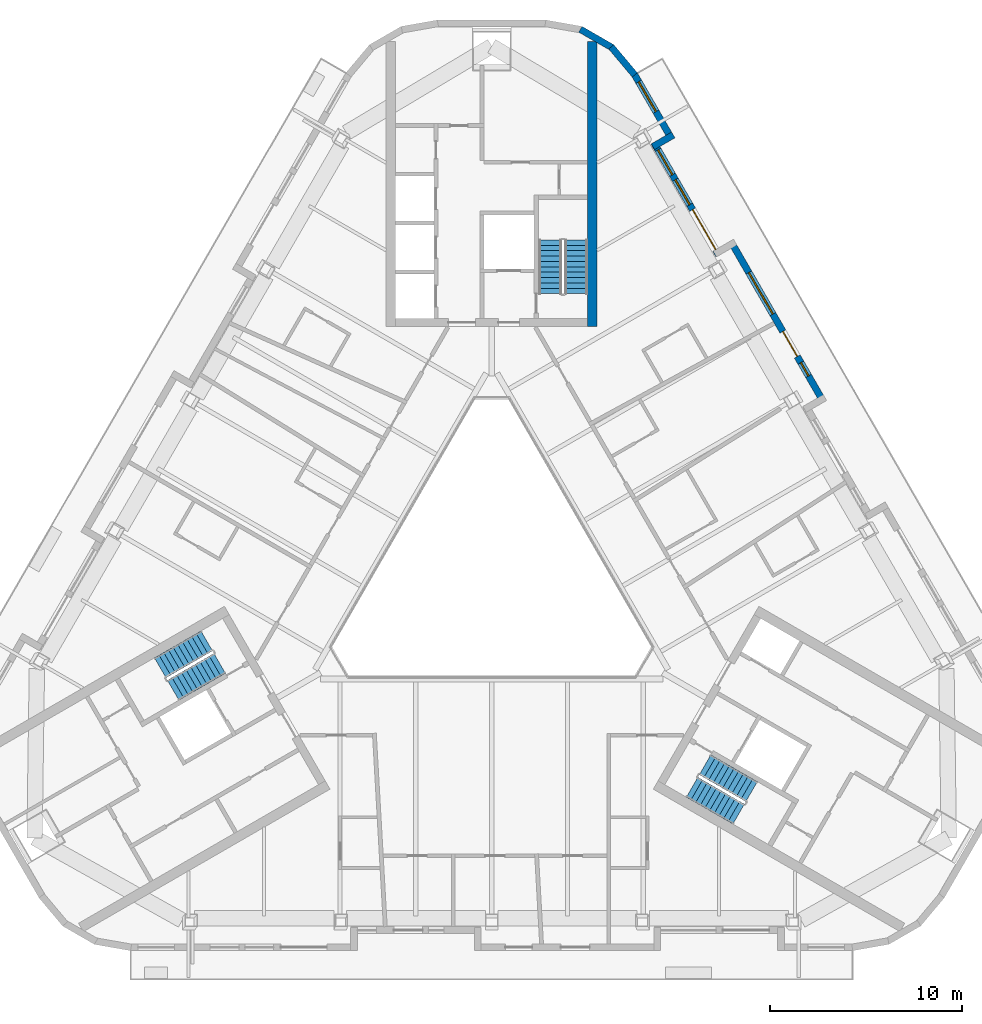
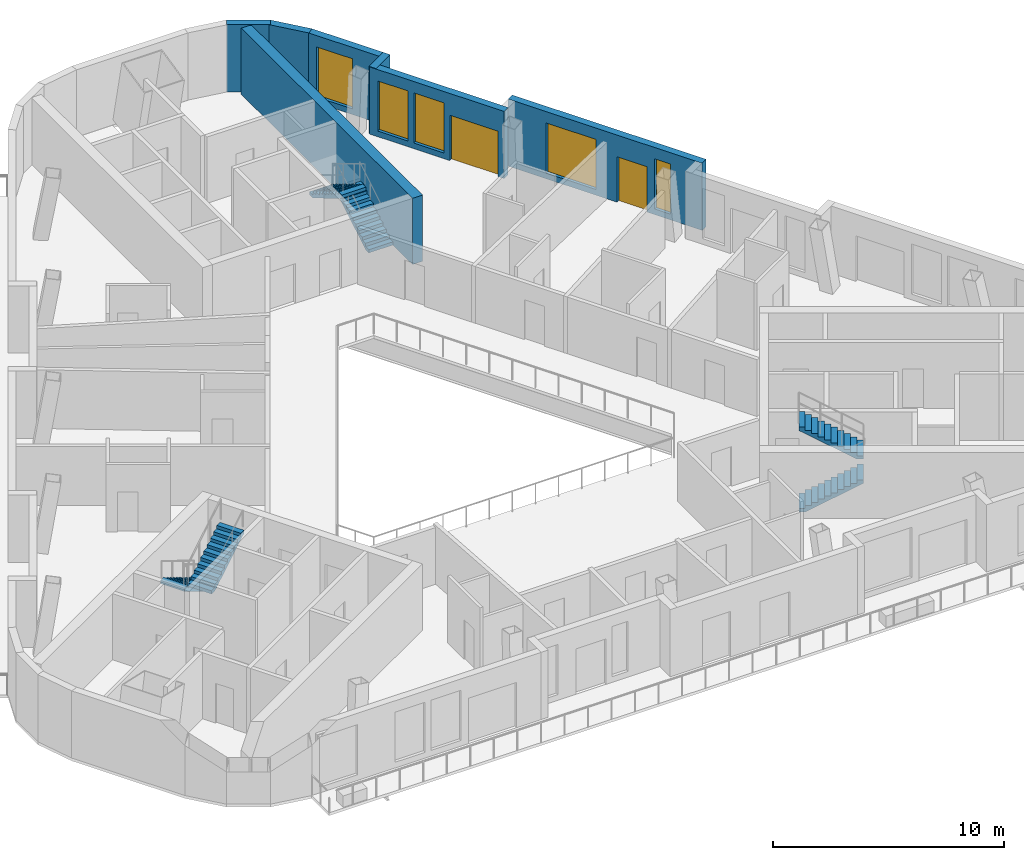
# One storey, part 8 of 14: 7 walls, 6 stair flights, 5 windows, 2 doors, 7 openings, 3 elements without a shape of their own.
"""IFC4 building model written with IfcOpenShell, lengths in metres."""

from ifc_helpers import new_model, si_unit, direction, frame, frame_2d, origin, place, context, subcontext, project, spatial, polyline, rectangle, outline, extrude, material, layer, layer_set, type_object, element, fill, aggregate, save


model = new_model("IFC4")

# Units and contexts
model_context = context("Model", 3, precision=1e-05, world=origin(), true_north=direction((0.0, 1.0)))
body_context = subcontext(model_context, "Body", "Model", "MODEL_VIEW")
ifc_project = project(units=[si_unit("LENGTHUNIT", "METRE"), si_unit("AREAUNIT", "SQUARE_METRE"), si_unit("VOLUMEUNIT", "CUBIC_METRE"), si_unit("PLANEANGLEUNIT", "RADIAN"), si_unit("MASSUNIT", "GRAM", prefix="KILO")], contexts=[model_context])

# Site, building, storey
site_placement = place(None, origin())
site = spatial("IfcSite", under=ifc_project, at=site_placement, CompositionType="ELEMENT")
building_placement = place(site_placement, origin())
building = spatial("IfcBuilding", under=site, at=building_placement, Name="Apuvela Tower Hotel", CompositionType="ELEMENT")
storey_placement = place(building_placement, frame((0.0, 0.0, 254.10009765625)))
storey = spatial("IfcBuildingStorey", under=building, at=storey_placement, Name="L62", CompositionType="ELEMENT", Elevation=254.10009765625)

# Wall
ifc_material_1 = material(Name="Concrete C50/60", Category="concrete")
ifc_layer_1 = layer(ifc_material_1, 0.5)
ifc_layer_set_1 = layer_set([ifc_layer_1], Name="COR-WALL-CORE-500")
wall_type_1 = type_object("IfcWallType", Name="COR-WALL-CORE-500", PredefinedType="SHEAR", material=ifc_layer_set_1)
wall_1_placement = place(storey_placement, frame((5.25, 12.89990234375, 0.0), z_axis=(0.0, 0.0, 1.0), x_axis=(0.0, 1.0, 0.0)))
element("IfcWall", 1, at=wall_1_placement, inside=storey, type_object=wall_type_1, Name="Core wall N", PredefinedType="SHEAR", context=body_context, shape_type="SweptSolid", body=[
    extrude(rectangle(XDim=14.8369140625, YDim=0.5, at=frame_2d((7.41845703125, 0.0))), origin(), (0.0, 0.0, 1.0), 3.5),
])

# Wall, openings, door, windows
ifc_material_2 = material(Name="Concrete C40/50, dark pigmented precast panel", Category="concrete")
ifc_layer_2 = layer(ifc_material_2, 0.35009765625)
ifc_layer_set_2 = layer_set([ifc_layer_2], Name="ENV-WALL-350")
wall_type_2 = type_object("IfcWallType", Name="ENV-WALL-350", PredefinedType="SOLIDWALL", material=ifc_layer_set_2)
wall_2_placement = place(storey_placement, frame((17.298583984375, 8.947998046875, 0.0), z_axis=(0.0, 0.0, 1.0), x_axis=(-0.500010041276, 0.866019606374, 0.0)))
wall_2 = element("IfcWall", 2, at=wall_2_placement, inside=storey, type_object=wall_type_2, Name="External wall L62-37", PredefinedType="SOLIDWALL", context=body_context, shape_type="SweptSolid", body=[
    extrude(rectangle(XDim=9.699951171875, YDim=0.35009765625, at=frame_2d((4.85009765625, 0.0))), origin(), (0.0, 0.0, 1.0), 3.5498046875),
])
opening_1_placement = place(wall_2_placement, frame((2.749267578125, 0.0, 0.0)))
opening_1 = element("IfcOpeningElement", 3, at=opening_1_placement, cuts=wall_2, Name="Opening BD15", PredefinedType="OPENING", context=body_context, shape_type="SweptSolid", body=[
    extrude(rectangle(XDim=1.5, YDim=2.39990234375, at=frame_2d((0.75, 1.199951171875))), frame((0.0, 0.18505859375, 0.0), z_axis=(0.0, -1.0, 0.0), x_axis=(1.0, 0.0, 0.0)), (0.0, 0.0, 1.0), 0.3701171875),
])
opening_2_placement = place(wall_2_placement, frame((1.5791015625, 0.0, 0.300048828125)))
opening_2 = element("IfcOpeningElement", 4, at=opening_2_placement, cuts=wall_2, Name="Opening WN08", PredefinedType="OPENING", context=body_context, shape_type="SweptSolid", body=[
    extrude(rectangle(XDim=0.800048828125, YDim=2.64990234375, at=frame_2d((0.39990234375, 1.324951171875))), frame((0.0, 0.18505859375, 0.0), z_axis=(0.0, -1.0, 0.0), x_axis=(1.0, 0.0, 0.0)), (0.0, 0.0, 1.0), 0.3701171875),
])
opening_3_placement = place(wall_2_placement, frame((5.300048828125, 0.0, 0.300048828125)))
opening_3 = element("IfcOpeningElement", 5, at=opening_3_placement, cuts=wall_2, Name="Opening WN25", PredefinedType="OPENING", context=body_context, shape_type="SweptSolid", body=[
    extrude(rectangle(XDim=2.5, YDim=2.64990234375, at=frame_2d((1.25, 1.324951171875))), frame((0.0, 0.18505859375, 0.0), z_axis=(0.0, -1.0, 0.0), x_axis=(1.0, 0.0, 0.0)), (0.0, 0.0, 1.0), 0.3701171875),
])
ifc_material_3 = material(Name="Aluminium 6063-T6, dark bronze anodised frame with dark tinted laminated glass", Category="aluminium")
door_type_1 = type_object("IfcDoorType", Name="ENV-DOOR-BALCONY-1500x2400", OperationType="SLIDING_TO_LEFT", PredefinedType="DOOR", material=ifc_material_3)
door_1_placement = place(opening_1_placement, frame((1.5, 0.0, 0.0), z_axis=(0.0, 0.0, 1.0), x_axis=(-1.0, 0.0, 0.0)))
door_1 = element("IfcDoor", 6, at=door_1_placement, inside=storey, type_object=door_type_1, Name="Balcony door BD15", OperationType="SLIDING_TO_LEFT", OverallHeight=2.39990234375, OverallWidth=1.5, PredefinedType="DOOR", context=body_context, shape_type="SweptSolid", body=[
    extrude(rectangle(XDim=1.5, YDim=2.39990234375, at=frame_2d((0.75, 1.199951171875))), frame((0.0, 0.02490234375, 0.0), z_axis=(0.0, -1.0, 0.0), x_axis=(1.0, 0.0, 0.0)), (0.0, 0.0, 1.0), 0.050048828125),
])
fill(opening_1, door_1)
ifc_material_4 = material(Name="Glass, dark tinted laminated insulated glazing unit", Category="glass")
window_type_1 = type_object("IfcWindowType", Name="ENV-WIN-2500x2650", PartitioningType="SINGLE_PANEL", PredefinedType="WINDOW", material=ifc_material_4)
window_1_placement = place(opening_3_placement, origin())
window_1 = element("IfcWindow", 7, at=window_1_placement, inside=storey, type_object=window_type_1, Name="Window WN25", OverallHeight=2.64990234375, OverallWidth=2.5, PartitioningType="SINGLE_PANEL", PredefinedType="WINDOW", context=body_context, shape_type="SweptSolid", body=[
    extrude(rectangle(XDim=2.5, YDim=2.64990234375, at=frame_2d((1.25, 1.324951171875))), frame((0.0, 0.030029296875, 0.0), z_axis=(0.0, -1.0, 0.0), x_axis=(1.0, 0.0, 0.0)), (0.0, 0.0, 1.0), 0.06005859375),
])
fill(opening_3, window_1)
window_type_2 = type_object("IfcWindowType", Name="ENV-WIN-800x2650", PartitioningType="SINGLE_PANEL", PredefinedType="WINDOW", material=ifc_material_4)
window_2_placement = place(opening_2_placement, origin())
window_2 = element("IfcWindow", 8, at=window_2_placement, inside=storey, type_object=window_type_2, Name="Window WN08", OverallHeight=2.64990234375, OverallWidth=0.800048828125, PartitioningType="SINGLE_PANEL", PredefinedType="WINDOW", context=body_context, shape_type="SweptSolid", body=[
    extrude(rectangle(XDim=0.800048828125, YDim=2.64990234375, at=frame_2d((0.39990234375, 1.324951171875))), frame((0.0, 0.030029296875, 0.0), z_axis=(0.0, -1.0, 0.0), x_axis=(1.0, 0.0, 0.0)), (0.0, 0.0, 1.0), 0.06005859375),
])
fill(opening_2, window_2)

wall_3_placement = place(storey_placement, frame((11.8291015625, 16.621337890625, 0.0), z_axis=(0.0, 0.0, 1.0), x_axis=(-0.500003597184, 0.866023326939, 0.0)))
wall_3 = element("IfcWall", 9, at=wall_3_placement, inside=storey, type_object=wall_type_2, Name="External wall L62-39", PredefinedType="SOLIDWALL", context=body_context, shape_type="SweptSolid", body=[
    extrude(rectangle(XDim=6.740234375, YDim=0.35009765625, at=frame_2d((3.3701171875, 0.0))), origin(), (0.0, 0.0, 1.0), 3.5498046875),
])
opening_4_placement = place(wall_3_placement, frame((0.320068359375, 0.0, 0.0)))
opening_4 = element("IfcOpeningElement", 10, at=opening_4_placement, cuts=wall_3, Name="Opening BD24", PredefinedType="OPENING", context=body_context, shape_type="SweptSolid", body=[
    extrude(rectangle(XDim=2.39990234375, YDim=2.39990234375, at=frame_2d((1.199951171875, 1.199951171875))), frame((0.0, 0.18505859375, 0.0), z_axis=(0.0, -1.0, 0.0), x_axis=(1.0, 0.0, 0.0)), (0.0, 0.0, 1.0), 0.3701171875),
])
opening_5_placement = place(wall_3_placement, frame((3.02001953125, 0.0, 0.300048828125)))
opening_5 = element("IfcOpeningElement", 11, at=opening_5_placement, cuts=wall_3, Name="Opening WN15", PredefinedType="OPENING", context=body_context, shape_type="SweptSolid", body=[
    extrude(rectangle(XDim=1.5, YDim=2.64990234375, at=frame_2d((0.75, 1.324951171875))), frame((0.0, 0.18505859375, 0.0), z_axis=(0.0, -1.0, 0.0), x_axis=(1.0, 0.0, 0.0)), (0.0, 0.0, 1.0), 0.3701171875),
])
opening_6_placement = place(wall_3_placement, frame((4.820068359375, 0.0, 0.300048828125)))
opening_6 = element("IfcOpeningElement", 12, at=opening_6_placement, cuts=wall_3, Name="Opening WN15", PredefinedType="OPENING", context=body_context, shape_type="SweptSolid", body=[
    extrude(rectangle(XDim=1.5, YDim=2.64990234375, at=frame_2d((0.75, 1.324951171875))), frame((0.0, 0.18505859375, 0.0), z_axis=(0.0, -1.0, 0.0), x_axis=(1.0, 0.0, 0.0)), (0.0, 0.0, 1.0), 0.3701171875),
])
door_type_2 = type_object("IfcDoorType", Name="ENV-DOOR-BALCONY-2400x2400", OperationType="SLIDING_TO_LEFT", PredefinedType="DOOR", material=ifc_material_3)
door_2_placement = place(opening_4_placement, frame((2.39990234375, 0.0, 0.0), z_axis=(0.0, 0.0, 1.0), x_axis=(-1.0, 0.0, 0.0)))
door_2 = element("IfcDoor", 13, at=door_2_placement, inside=storey, type_object=door_type_2, Name="Balcony door BD24", OperationType="SLIDING_TO_LEFT", OverallHeight=2.39990234375, OverallWidth=2.39990234375, PredefinedType="DOOR", context=body_context, shape_type="SweptSolid", body=[
    extrude(rectangle(XDim=2.39990234375, YDim=2.39990234375, at=frame_2d((1.199951171875, 1.199951171875))), frame((0.0, 0.02490234375, 0.0), z_axis=(0.0, -1.0, 0.0), x_axis=(1.0, 0.0, 0.0)), (0.0, 0.0, 1.0), 0.050048828125),
])
fill(opening_4, door_2)
window_type_3 = type_object("IfcWindowType", Name="ENV-WIN-1500x2650", PartitioningType="SINGLE_PANEL", PredefinedType="WINDOW", material=ifc_material_4)
window_3_placement = place(opening_5_placement, origin())
window_3 = element("IfcWindow", 14, at=window_3_placement, inside=storey, type_object=window_type_3, Name="Window WN15", OverallHeight=2.64990234375, OverallWidth=1.5, PartitioningType="SINGLE_PANEL", PredefinedType="WINDOW", context=body_context, shape_type="SweptSolid", body=[
    extrude(rectangle(XDim=1.5, YDim=2.64990234375, at=frame_2d((0.75, 1.324951171875))), frame((0.0, 0.030029296875, 0.0), z_axis=(0.0, -1.0, 0.0), x_axis=(1.0, 0.0, 0.0)), (0.0, 0.0, 1.0), 0.06005859375),
])
fill(opening_5, window_3)
window_4_placement = place(opening_6_placement, origin())
window_4 = element("IfcWindow", 15, at=window_4_placement, inside=storey, type_object=window_type_3, Name="Window WN15", OverallHeight=2.64990234375, OverallWidth=1.5, PartitioningType="SINGLE_PANEL", PredefinedType="WINDOW", context=body_context, shape_type="SweptSolid", body=[
    extrude(rectangle(XDim=1.5, YDim=2.64990234375, at=frame_2d((0.75, 1.324951171875))), frame((0.0, 0.030029296875, 0.0), z_axis=(0.0, -1.0, 0.0), x_axis=(1.0, 0.0, 0.0)), (0.0, 0.0, 1.0), 0.06005859375),
])
fill(opening_6, window_4)

# Wall
wall_4_placement = place(storey_placement, frame((8.406005859375, 22.26025390625, 0.0), z_axis=(0.0, 0.0, 1.0), x_axis=(0.865955602162, 0.500120880472, 0.0)))
element("IfcWall", 16, at=wall_4_placement, inside=storey, type_object=wall_type_2, Name="External wall L62-40", PredefinedType="SOLIDWALL", context=body_context, shape_type="SweptSolid", body=[
    extrude(rectangle(XDim=1.219970703125, YDim=0.35009765625, at=frame_2d((0.60986328125, 0.0))), origin(), (0.0, 0.0, 1.0), 3.5498046875),
])

# Wall, opening, window
wall_5_placement = place(storey_placement, frame((9.3984375, 22.631103515625, 0.0), z_axis=(0.0, 0.0, 1.0), x_axis=(-0.499954521343, 0.866051659307, 0.0)))
wall_5 = element("IfcWall", 17, at=wall_5_placement, inside=storey, type_object=wall_type_2, Name="External wall L62-41", PredefinedType="SOLIDWALL", context=body_context, shape_type="SweptSolid", body=[
    extrude(rectangle(XDim=3.915771484375, YDim=0.35009765625, at=frame_2d((1.9580078125, 0.0))), origin(), (0.0, 0.0, 1.0), 3.5498046875),
])
opening_7_placement = place(wall_5_placement, frame((1.67626953125, 0.0, 0.300048828125)))
opening_7 = element("IfcOpeningElement", 18, at=opening_7_placement, cuts=wall_5, Name="Opening WN18", PredefinedType="OPENING", context=body_context, shape_type="SweptSolid", body=[
    extrude(rectangle(XDim=1.800048828125, YDim=2.64990234375, at=frame_2d((0.89990234375, 1.324951171875))), frame((0.0, 0.18505859375, 0.0), z_axis=(0.0, -1.0, 0.0), x_axis=(1.0, 0.0, 0.0)), (0.0, 0.0, 1.0), 0.3701171875),
])
window_type_4 = type_object("IfcWindowType", Name="ENV-WIN-1800x2650", PartitioningType="SINGLE_PANEL", PredefinedType="WINDOW", material=ifc_material_4)
window_5_placement = place(opening_7_placement, origin())
window_5 = element("IfcWindow", 19, at=window_5_placement, inside=storey, type_object=window_type_4, Name="Window WN18", OverallHeight=2.64990234375, OverallWidth=1.800048828125, PartitioningType="SINGLE_PANEL", PredefinedType="WINDOW", context=body_context, shape_type="SweptSolid", body=[
    extrude(rectangle(XDim=1.800048828125, YDim=2.64990234375, at=frame_2d((0.89990234375, 1.324951171875))), frame((0.0, 0.030029296875, 0.0), z_axis=(0.0, -1.0, 0.0), x_axis=(1.0, 0.0, 0.0)), (0.0, 0.0, 1.0), 0.06005859375),
])
fill(opening_7, window_5)

# Walls
wall_6_placement = place(storey_placement, frame((7.4580078125, 25.99755859375, 0.0), z_axis=(0.0, 0.0, 1.0), x_axis=(-0.642808304945, 0.766027077259, 0.0)))
element("IfcWall", 20, at=wall_6_placement, inside=storey, type_object=wall_type_2, Name="External wall L62-42", PredefinedType="SOLIDWALL", context=body_context, shape_type="SweptSolid", body=[
    extrude(rectangle(XDim=1.909912109375, YDim=0.35009765625, at=frame_2d((0.955078125, 0.0))), origin(), (0.0, 0.0, 1.0), 3.5498046875),
])
wall_7_placement = place(storey_placement, frame((6.27685546875, 27.421630859375, 0.0), z_axis=(0.0, 0.0, 1.0), x_axis=(-0.866032345022, 0.499987977232, 0.0)))
element("IfcWall", 21, at=wall_7_placement, inside=storey, type_object=wall_type_2, Name="External wall L62-43", PredefinedType="SOLIDWALL", context=body_context, shape_type="SweptSolid", body=[
    extrude(rectangle(XDim=1.91015625, YDim=0.35009765625, at=frame_2d((0.955078125, 0.0))), origin(), (0.0, 0.0, 1.0), 3.5498046875),
])

# Stair, stair flights
stair_type = type_object("IfcStairType", Name="COR-STAIR-22R", PredefinedType="HALF_TURN_STAIR", material=ifc_material_1)
stair_1_placement = place(storey_placement, origin())
stair_1 = element("IfcStair", 22, at=stair_1_placement, inside=storey, type_object=stair_type, Name="L62 Exit stair ST1", PredefinedType="HALF_TURN_STAIR")
stair_flight_type = type_object("IfcStairFlightType", Name="COR-FLIGHT-11R", PredefinedType="STRAIGHT", material=ifc_material_1)
stair_flight_1_placement = place(storey_placement, frame((4.39990234375, 14.60009765625, 0.0), z_axis=(0.0, 0.0, 1.0), x_axis=(0.0, 1.0, 0.0)))
stair_flight_1 = element("IfcStairFlight", 23, at=stair_flight_1_placement, type_object=stair_flight_type, Name="ST1 flight 1", NumberOfRisers=11, NumberOfTreads=10, PredefinedType="STRAIGHT", RiserHeight=0.168181818, TreadLength=0.28, context=body_context, shape_type="SweptSolid", body=[
    extrude(outline(polyline([(0.0, 0.0), (0.0, 0.168212890625), (0.280029296875, 0.168212890625), (0.280029296875, 0.33642578125), (0.56005859375, 0.33642578125), (0.56005859375, 0.504638671875), (0.840087890625, 0.504638671875), (0.840087890625, 0.672607421875), (1.1201171875, 0.672607421875), (1.1201171875, 0.8408203125), (1.39990234375, 0.8408203125), (1.39990234375, 1.009033203125), (1.679931640625, 1.009033203125), (1.679931640625, 1.17724609375), (1.9599609375, 1.17724609375), (1.9599609375, 1.345458984375), (2.239990234375, 1.345458984375), (2.239990234375, 1.513671875), (2.52001953125, 1.513671875), (2.52001953125, 1.681884765625), (2.800048828125, 1.681884765625), (2.800048828125, 1.85009765625), (2.800048828125, 1.5068359375), (0.291015625, 0.0), (0.0, 0.0)])), frame((0.0, 0.60009765625, 0.0), z_axis=(0.0, -1.0, 0.0), x_axis=(1.0, 0.0, 0.0)), (0.0, 0.0, 1.0), 1.199951171875),
])
stair_flight_2_placement = place(storey_placement, frame((3.050048828125, 17.39990234375, 1.849853515625), z_axis=(0.0, 0.0, 1.0), x_axis=(0.0, -1.0, 0.0)))
stair_flight_2 = element("IfcStairFlight", 24, at=stair_flight_2_placement, type_object=stair_flight_type, Name="ST1 flight 2", NumberOfRisers=11, NumberOfTreads=10, PredefinedType="STRAIGHT", RiserHeight=0.168181818, TreadLength=0.28, context=body_context, shape_type="SweptSolid", body=[
    extrude(outline(polyline([(0.0, 0.0), (0.0, 0.168212890625), (0.280029296875, 0.168212890625), (0.280029296875, 0.33642578125), (0.56005859375, 0.33642578125), (0.56005859375, 0.504638671875), (0.840087890625, 0.504638671875), (0.840087890625, 0.672607421875), (1.1201171875, 0.672607421875), (1.1201171875, 0.8408203125), (1.39990234375, 0.8408203125), (1.39990234375, 1.009033203125), (1.679931640625, 1.009033203125), (1.679931640625, 1.17724609375), (1.9599609375, 1.17724609375), (1.9599609375, 1.345458984375), (2.239990234375, 1.345458984375), (2.239990234375, 1.513671875), (2.52001953125, 1.513671875), (2.52001953125, 1.681884765625), (2.800048828125, 1.681884765625), (2.800048828125, 1.85009765625), (2.800048828125, 1.5068359375), (0.291015625, 0.0), (0.0, 0.0)])), frame((0.0, 0.60009765625, 0.0), z_axis=(0.0, -1.0, 0.0), x_axis=(1.0, 0.0, 0.0)), (0.0, 0.0, 1.0), 1.199951171875),
])
aggregate(stair_1, [stair_flight_1, stair_flight_2])

stair_2_placement = place(storey_placement, origin())
stair_2 = element("IfcStair", 25, at=stair_2_placement, inside=storey, type_object=stair_type, Name="L62 Exit stair ST2", PredefinedType="HALF_TURN_STAIR")
stair_flight_3_placement = place(storey_placement, frame((-14.843994140625, -3.489501953125, 0.0), z_axis=(0.0, 0.0, 1.0), x_axis=(-0.866025403784, -0.5, 0.0)))
stair_flight_3 = element("IfcStairFlight", 26, at=stair_flight_3_placement, type_object=stair_flight_type, Name="ST2 flight 1", NumberOfRisers=11, NumberOfTreads=10, PredefinedType="STRAIGHT", RiserHeight=0.168181818, TreadLength=0.28, context=body_context, shape_type="SweptSolid", body=[
    extrude(outline(polyline([(0.0, 0.0), (0.0, 0.168212890625), (0.280029296875, 0.168212890625), (0.280029296875, 0.33642578125), (0.56005859375, 0.33642578125), (0.56005859375, 0.504638671875), (0.840087890625, 0.504638671875), (0.840087890625, 0.672607421875), (1.1201171875, 0.672607421875), (1.1201171875, 0.8408203125), (1.39990234375, 0.8408203125), (1.39990234375, 1.009033203125), (1.679931640625, 1.009033203125), (1.679931640625, 1.17724609375), (1.9599609375, 1.17724609375), (1.9599609375, 1.345458984375), (2.239990234375, 1.345458984375), (2.239990234375, 1.513671875), (2.52001953125, 1.513671875), (2.52001953125, 1.681884765625), (2.800048828125, 1.681884765625), (2.800048828125, 1.85009765625), (2.800048828125, 1.5068359375), (0.291015625, 0.0), (0.0, 0.0)])), frame((0.0, 0.60009765625, 0.0), z_axis=(0.0, -1.0, 0.0), x_axis=(1.0, 0.0, 0.0)), (0.0, 0.0, 1.0), 1.199951171875),
])
stair_flight_4_placement = place(storey_placement, frame((-16.59375, -6.05859375, 1.849853515625), z_axis=(0.0, 0.0, 1.0), x_axis=(0.866025403784, 0.5, 0.0)))
stair_flight_4 = element("IfcStairFlight", 27, at=stair_flight_4_placement, type_object=stair_flight_type, Name="ST2 flight 2", NumberOfRisers=11, NumberOfTreads=10, PredefinedType="STRAIGHT", RiserHeight=0.168181818, TreadLength=0.28, context=body_context, shape_type="SweptSolid", body=[
    extrude(outline(polyline([(0.0, 0.0), (0.0, 0.168212890625), (0.280029296875, 0.168212890625), (0.280029296875, 0.33642578125), (0.56005859375, 0.33642578125), (0.56005859375, 0.504638671875), (0.840087890625, 0.504638671875), (0.840087890625, 0.672607421875), (1.1201171875, 0.672607421875), (1.1201171875, 0.8408203125), (1.39990234375, 0.8408203125), (1.39990234375, 1.009033203125), (1.679931640625, 1.009033203125), (1.679931640625, 1.17724609375), (1.9599609375, 1.17724609375), (1.9599609375, 1.345458984375), (2.239990234375, 1.345458984375), (2.239990234375, 1.513671875), (2.52001953125, 1.513671875), (2.52001953125, 1.681884765625), (2.800048828125, 1.681884765625), (2.800048828125, 1.85009765625), (2.800048828125, 1.5068359375), (0.291015625, 0.0), (0.0, 0.0)])), frame((0.0, 0.60009765625, 0.0), z_axis=(0.0, -1.0, 0.0), x_axis=(1.0, 0.0, 0.0)), (0.0, 0.0, 1.0), 1.199951171875),
])
aggregate(stair_2, [stair_flight_3, stair_flight_4])

stair_3_placement = place(storey_placement, origin())
stair_3 = element("IfcStair", 28, at=stair_3_placement, inside=storey, type_object=stair_type, Name="L62 Exit stair ST3", PredefinedType="HALF_TURN_STAIR")
stair_flight_5_placement = place(storey_placement, frame((10.444091796875, -11.110595703125, 0.0), z_axis=(0.0, 0.0, 1.0), x_axis=(0.866025403784, -0.5, 0.0)))
stair_flight_5 = element("IfcStairFlight", 29, at=stair_flight_5_placement, type_object=stair_flight_type, Name="ST3 flight 1", NumberOfRisers=11, NumberOfTreads=10, PredefinedType="STRAIGHT", RiserHeight=0.168181818, TreadLength=0.28, context=body_context, shape_type="SweptSolid", body=[
    extrude(outline(polyline([(0.0, 0.0), (0.0, 0.168212890625), (0.280029296875, 0.168212890625), (0.280029296875, 0.33642578125), (0.56005859375, 0.33642578125), (0.56005859375, 0.504638671875), (0.840087890625, 0.504638671875), (0.840087890625, 0.672607421875), (1.1201171875, 0.672607421875), (1.1201171875, 0.8408203125), (1.39990234375, 0.8408203125), (1.39990234375, 1.009033203125), (1.679931640625, 1.009033203125), (1.679931640625, 1.17724609375), (1.9599609375, 1.17724609375), (1.9599609375, 1.345458984375), (2.239990234375, 1.345458984375), (2.239990234375, 1.513671875), (2.52001953125, 1.513671875), (2.52001953125, 1.681884765625), (2.800048828125, 1.681884765625), (2.800048828125, 1.85009765625), (2.800048828125, 1.5068359375), (0.291015625, 0.0), (0.0, 0.0)])), frame((0.0, 0.60009765625, 0.0), z_axis=(0.0, -1.0, 0.0), x_axis=(1.0, 0.0, 0.0)), (0.0, 0.0, 1.0), 1.199951171875),
])
stair_flight_6_placement = place(storey_placement, frame((13.5439453125, -11.34130859375, 1.849853515625), z_axis=(0.0, 0.0, 1.0), x_axis=(-0.866025403784, 0.5, 0.0)))
stair_flight_6 = element("IfcStairFlight", 30, at=stair_flight_6_placement, type_object=stair_flight_type, Name="ST3 flight 2", NumberOfRisers=11, NumberOfTreads=10, PredefinedType="STRAIGHT", RiserHeight=0.168181818, TreadLength=0.28, context=body_context, shape_type="SweptSolid", body=[
    extrude(outline(polyline([(0.0, 0.0), (0.0, 0.168212890625), (0.280029296875, 0.168212890625), (0.280029296875, 0.33642578125), (0.56005859375, 0.33642578125), (0.56005859375, 0.504638671875), (0.840087890625, 0.504638671875), (0.840087890625, 0.672607421875), (1.1201171875, 0.672607421875), (1.1201171875, 0.8408203125), (1.39990234375, 0.8408203125), (1.39990234375, 1.009033203125), (1.679931640625, 1.009033203125), (1.679931640625, 1.17724609375), (1.9599609375, 1.17724609375), (1.9599609375, 1.345458984375), (2.239990234375, 1.345458984375), (2.239990234375, 1.513671875), (2.52001953125, 1.513671875), (2.52001953125, 1.681884765625), (2.800048828125, 1.681884765625), (2.800048828125, 1.85009765625), (2.800048828125, 1.5068359375), (0.291015625, 0.0), (0.0, 0.0)])), frame((0.0, 0.60009765625, 0.0), z_axis=(0.0, -1.0, 0.0), x_axis=(1.0, 0.0, 0.0)), (0.0, 0.0, 1.0), 1.199951171875),
])
aggregate(stair_3, [stair_flight_5, stair_flight_6])

save(model, "model.ifc")
